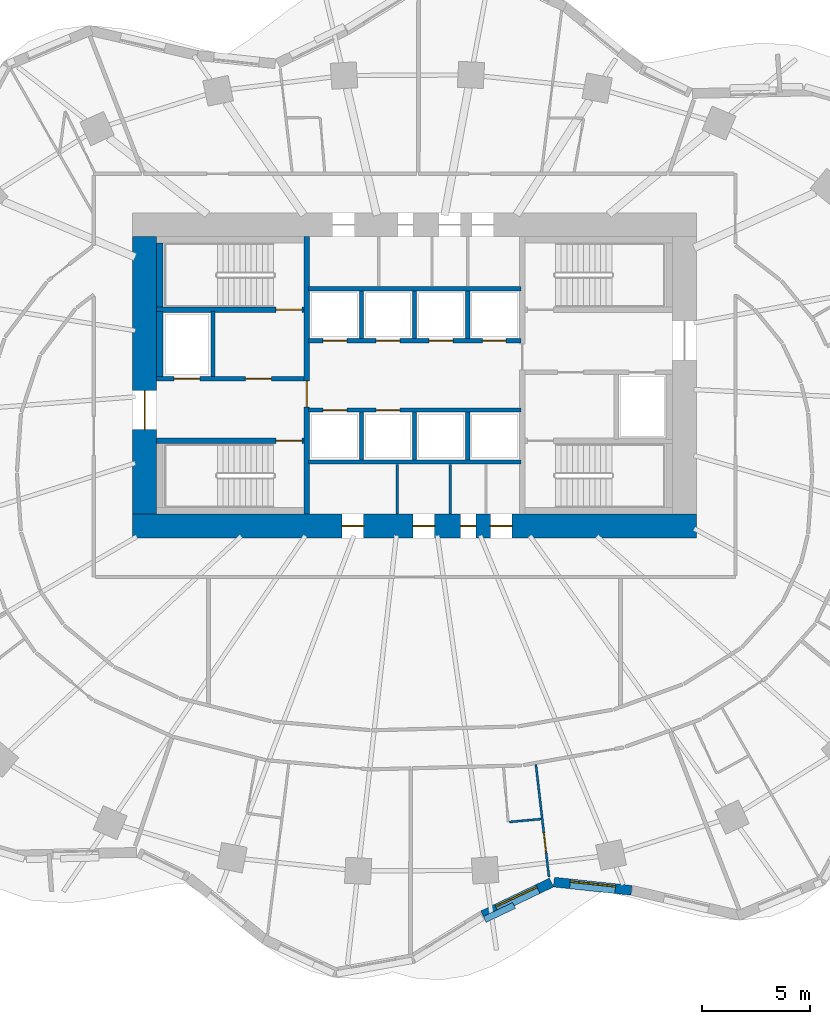
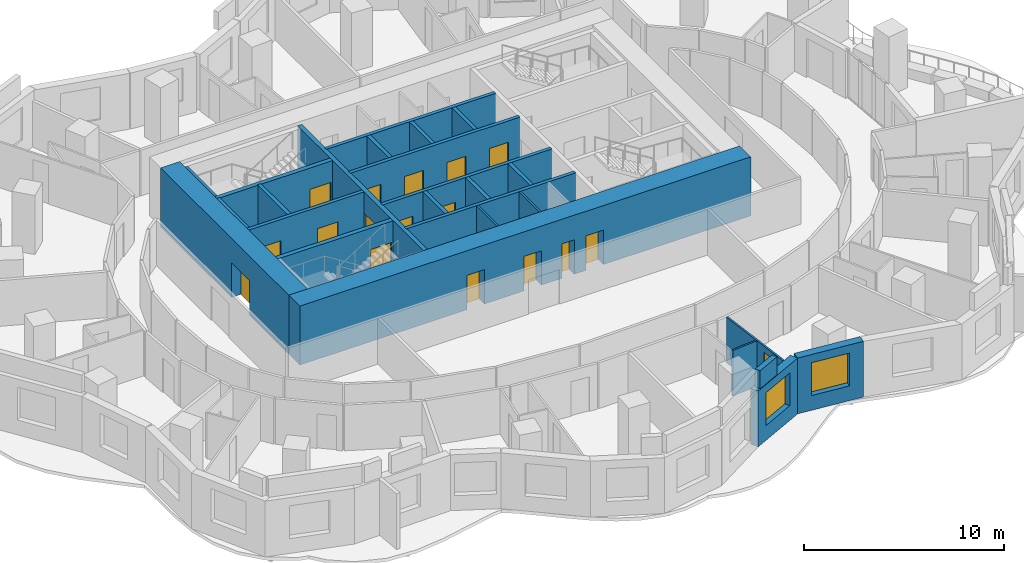
# One storey, part 6 of 13: 26 walls, 17 doors, 2 windows, 19 openings.
"""IFC4 building model written with IfcOpenShell, lengths in metres."""

from ifc_helpers import new_model, si_unit, direction, frame, frame_2d, origin, place, context, subcontext, project, spatial, rectangle, extrude, material, layer, layer_set, type_object, element, fill, save


model = new_model("IFC4")

# Units and contexts
model_context = context("Model", 3, precision=1e-05, world=origin(), true_north=direction((0.0, 1.0)))
body_context = subcontext(model_context, "Body", "Model", "MODEL_VIEW")
ifc_project = project(units=[si_unit("LENGTHUNIT", "METRE"), si_unit("AREAUNIT", "SQUARE_METRE"), si_unit("VOLUMEUNIT", "CUBIC_METRE"), si_unit("PLANEANGLEUNIT", "RADIAN"), si_unit("MASSUNIT", "GRAM", prefix="KILO")], contexts=[model_context])

# Site, building, storey
site_placement = place(None, origin())
site = spatial("IfcSite", under=ifc_project, at=site_placement, CompositionType="ELEMENT")
building_placement = place(site_placement, origin())
building = spatial("IfcBuilding", under=site, at=building_placement, Name="Rubra Terraces Tower", CompositionType="ELEMENT")
storey_placement = place(building_placement, frame((0.0, 0.0, 85.199951171875)))
storey = spatial("IfcBuildingStorey", under=building, at=storey_placement, Name="L19", CompositionType="ELEMENT", Elevation=85.199951171875)

# Wall, opening, window
ifc_material_1 = material(Name="Brick masonry red-brown", Category="masonry")
ifc_layer_1 = layer(ifc_material_1, 0.449951171875)
ifc_layer_set_1 = layer_set([ifc_layer_1], Name="Brick masonry red-brown")
wall_type_1 = type_object("IfcWallType", Name="Brick facade wall 450", PredefinedType="SOLIDWALL", material=ifc_layer_set_1)
wall_1_placement = place(storey_placement, frame((3.153564453125, -20.406005859375, 0.0), z_axis=(0.0, 0.0, 1.0), x_axis=(0.902333313, 0.431038968367, 0.0)))
wall_1 = element("IfcWall", 1, at=wall_1_placement, inside=storey, type_object=wall_type_1, Name="Facade wall L19 bay 32", PredefinedType="SOLIDWALL", context=body_context, shape_type="SweptSolid", body=[
    extrude(rectangle(XDim=3.50537109375, YDim=0.449951171875, at=frame_2d((1.752685546875, 0.0))), origin(), (0.0, 0.0, 1.0), 3.400146484375),
])
opening_1_placement = place(wall_1_placement, frame((0.702880859375, 0.0, 0.89990234375)))
opening_1 = element("IfcOpeningElement", 2, at=opening_1_placement, cuts=wall_1, Name="Opening W1", PredefinedType="OPENING", context=body_context, shape_type="SweptSolid", body=[
    extrude(rectangle(XDim=2.10009765625, YDim=2.0, at=frame_2d((1.050048828125, 1.0))), frame((0.0, 0.23486328125, 0.0), z_axis=(0.0, -1.0, 0.0), x_axis=(1.0, 0.0, 0.0)), (0.0, 0.0, 1.0), 0.469970703125),
])
ifc_material_2 = material(Name="Clear glass in aluminium frame", Category="aluminium")
window_type = type_object("IfcWindowType", Name="Fixed deep-set window 2100 x 2000", PartitioningType="SINGLE_PANEL", PredefinedType="WINDOW", material=ifc_material_2)
window_1_placement = place(opening_1_placement, origin())
window_1 = element("IfcWindow", 3, at=window_1_placement, inside=storey, type_object=window_type, Name="Window L19 bay 32", OverallHeight=2.0, OverallWidth=2.10009765625, PartitioningType="SINGLE_PANEL", PredefinedType="WINDOW", context=body_context, shape_type="SweptSolid", body=[
    extrude(rectangle(XDim=2.10009765625, YDim=2.0, at=frame_2d((1.050048828125, 1.0))), frame((0.0, 0.135009765625, 0.0), z_axis=(0.0, -1.0, 0.0), x_axis=(1.0, 0.0, 0.0)), (0.0, 0.0, 1.0), 0.06005859375),
])
fill(opening_1, window_1)

wall_2_placement = place(storey_placement, frame((6.4267578125, -18.875244140625, 0.0), z_axis=(0.0, 0.0, 1.0), x_axis=(0.994433468803, -0.10536638992, 0.0)))
wall_2 = element("IfcWall", 4, at=wall_2_placement, inside=storey, type_object=wall_type_1, Name="Facade wall L19 bay 33", PredefinedType="SOLIDWALL", context=body_context, shape_type="SweptSolid", body=[
    extrude(rectangle(XDim=3.598388671875, YDim=0.449951171875, at=frame_2d((1.79931640625, 0.0))), origin(), (0.0, 0.0, 1.0), 3.400146484375),
])
opening_2_placement = place(wall_2_placement, frame((0.749267578125, 0.0, 0.89990234375)))
opening_2 = element("IfcOpeningElement", 5, at=opening_2_placement, cuts=wall_2, Name="Opening W1", PredefinedType="OPENING", context=body_context, shape_type="SweptSolid", body=[
    extrude(rectangle(XDim=2.10009765625, YDim=2.0, at=frame_2d((1.050048828125, 1.0))), frame((0.0, 0.23486328125, 0.0), z_axis=(0.0, -1.0, 0.0), x_axis=(1.0, 0.0, 0.0)), (0.0, 0.0, 1.0), 0.469970703125),
])
window_2_placement = place(opening_2_placement, origin())
window_2 = element("IfcWindow", 6, at=window_2_placement, inside=storey, type_object=window_type, Name="Window L19 bay 33", OverallHeight=2.0, OverallWidth=2.10009765625, PartitioningType="SINGLE_PANEL", PredefinedType="WINDOW", context=body_context, shape_type="SweptSolid", body=[
    extrude(rectangle(XDim=2.10009765625, YDim=2.0, at=frame_2d((1.050048828125, 1.0))), frame((0.0, 0.135009765625, 0.0), z_axis=(0.0, -1.0, 0.0), x_axis=(1.0, 0.0, 0.0)), (0.0, 0.0, 1.0), 0.06005859375),
])
fill(opening_2, window_2)

# Wall
ifc_layer_2 = layer(ifc_material_1, 0.300048828125)
ifc_layer_set_2 = layer_set([ifc_layer_2], Name="Brick masonry red-brown")
wall_type_2 = type_object("IfcWallType", Name="Brick parapet 300", PredefinedType="PARAPET", material=ifc_layer_set_2)
wall_3_placement = place(storey_placement, frame((3.2392578125, -20.594482421875, 3.60009765625), z_axis=(0.0, 0.0, 1.0), x_axis=(0.902344893923, 0.431014724123, 0.0)))
element("IfcWall", 7, at=wall_3_placement, inside=storey, type_object=wall_type_2, Name="Parapet L19 bay 32", PredefinedType="PARAPET", context=body_context, shape_type="SweptSolid", body=[
    extrude(rectangle(XDim=1.48974609375, YDim=0.300048828125, at=frame_2d((0.744873046875, 0.0))), origin(), (0.0, 0.0, 1.0), 1.099853515625),
])

# Wall, openings, doors
ifc_material_3 = material(Name="Concrete C60", Category="concrete")
ifc_layer_3 = layer(ifc_material_3, 1.10009765625)
ifc_layer_set_3 = layer_set([ifc_layer_3], Name="Concrete C60")
wall_type_3 = type_object("IfcWallType", Name="CORE WALL 1100 C60", PredefinedType="SHEAR", material=ifc_layer_set_3)
wall_4_placement = place(storey_placement, frame((-13.0, -2.449951171875, 0.0), z_axis=(0.0, 0.0, 1.0), x_axis=(1.0, 0.0, 0.0)))
wall_4 = element("IfcWall", 8, at=wall_4_placement, inside=storey, type_object=wall_type_3, Name="CORE WALL S L19", PredefinedType="SHEAR", context=body_context, shape_type="SweptSolid", body=[
    extrude(rectangle(XDim=26.0, YDim=1.10009765625, at=frame_2d((13.0, 0.0))), origin(), (0.0, 0.0, 1.0), 3.60009765625),
])
opening_3_placement = place(wall_4_placement, frame((9.64990234375, 0.0, 0.0)))
opening_3 = element("IfcOpeningElement", 9, at=opening_3_placement, cuts=wall_4, Name="Opening L19.C19", PredefinedType="OPENING", context=body_context, shape_type="SweptSolid", body=[
    extrude(rectangle(XDim=1.0, YDim=2.10009765625, at=frame_2d((0.5, 1.050048828125))), frame((0.0, 0.56005859375, 0.0), z_axis=(0.0, -1.0, 0.0), x_axis=(1.0, 0.0, 0.0)), (0.0, 0.0, 1.0), 1.1201171875),
])
opening_4_placement = place(wall_4_placement, frame((12.925048828125, 0.0, 0.0)))
opening_4 = element("IfcOpeningElement", 10, at=opening_4_placement, cuts=wall_4, Name="Opening L19.C20", PredefinedType="OPENING", context=body_context, shape_type="SweptSolid", body=[
    extrude(rectangle(XDim=1.0, YDim=2.10009765625, at=frame_2d((0.5, 1.050048828125))), frame((0.0, 0.56005859375, 0.0), z_axis=(0.0, -1.0, 0.0), x_axis=(1.0, 0.0, 0.0)), (0.0, 0.0, 1.0), 1.1201171875),
])
opening_5_placement = place(wall_4_placement, frame((15.125, 0.0, 0.0)))
opening_5 = element("IfcOpeningElement", 11, at=opening_5_placement, cuts=wall_4, Name="Opening L19.C21", PredefinedType="OPENING", context=body_context, shape_type="SweptSolid", body=[
    extrude(rectangle(XDim=0.699951171875, YDim=2.10009765625, at=frame_2d((0.35009765625, 1.050048828125))), frame((0.0, 0.56005859375, 0.0), z_axis=(0.0, -1.0, 0.0), x_axis=(1.0, 0.0, 0.0)), (0.0, 0.0, 1.0), 1.1201171875),
])
opening_6_placement = place(wall_4_placement, frame((16.5, 0.0, 0.0)))
opening_6 = element("IfcOpeningElement", 12, at=opening_6_placement, cuts=wall_4, Name="Opening L19.C22", PredefinedType="OPENING", context=body_context, shape_type="SweptSolid", body=[
    extrude(rectangle(XDim=1.0, YDim=2.10009765625, at=frame_2d((0.5, 1.050048828125))), frame((0.0, 0.56005859375, 0.0), z_axis=(0.0, -1.0, 0.0), x_axis=(1.0, 0.0, 0.0)), (0.0, 0.0, 1.0), 1.1201171875),
])
ifc_material_4 = material(Name="Painted steel", Category="steel")
door_type_1 = type_object("IfcDoorType", Name="Fire door 1000x2100 single", OperationType="NOTDEFINED", PredefinedType="DOOR", material=ifc_material_4)
door_1_placement = place(opening_3_placement, origin())
door_1 = element("IfcDoor", 13, at=door_1_placement, inside=storey, type_object=door_type_1, Name="Linen store door", OperationType="SINGLE_SWING_LEFT", OverallHeight=2.10009765625, OverallWidth=1.0, PredefinedType="DOOR", context=body_context, shape_type="SweptSolid", body=[
    extrude(rectangle(XDim=1.0, YDim=2.10009765625, at=frame_2d((0.5, 1.050048828125))), frame((0.0, 0.02490234375, 0.0), z_axis=(0.0, -1.0, 0.0), x_axis=(1.0, 0.0, 0.0)), (0.0, 0.0, 1.0), 0.050048828125),
])
fill(opening_3, door_1)
door_2_placement = place(opening_4_placement, origin())
door_2 = element("IfcDoor", 14, at=door_2_placement, inside=storey, type_object=door_type_1, Name="Guest pantry door", OperationType="SINGLE_SWING_RIGHT", OverallHeight=2.10009765625, OverallWidth=1.0, PredefinedType="DOOR", context=body_context, shape_type="SweptSolid", body=[
    extrude(rectangle(XDim=1.0, YDim=2.10009765625, at=frame_2d((0.5, 1.050048828125))), frame((0.0, 0.02490234375, 0.0), z_axis=(0.0, -1.0, 0.0), x_axis=(1.0, 0.0, 0.0)), (0.0, 0.0, 1.0), 0.050048828125),
])
fill(opening_4, door_2)
door_3_placement = place(opening_6_placement, origin())
door_3 = element("IfcDoor", 15, at=door_3_placement, inside=storey, type_object=door_type_1, Name="Refuse room door", OperationType="SINGLE_SWING_RIGHT", OverallHeight=2.10009765625, OverallWidth=1.0, PredefinedType="DOOR", context=body_context, shape_type="SweptSolid", body=[
    extrude(rectangle(XDim=1.0, YDim=2.10009765625, at=frame_2d((0.5, 1.050048828125))), frame((0.0, 0.02490234375, 0.0), z_axis=(0.0, -1.0, 0.0), x_axis=(1.0, 0.0, 0.0)), (0.0, 0.0, 1.0), 0.050048828125),
])
fill(opening_6, door_3)
door_type_2 = type_object("IfcDoorType", Name="Riser access door 700x2100 single", OperationType="NOTDEFINED", PredefinedType="DOOR", material=ifc_material_4)
door_4_placement = place(opening_5_placement, origin())
door_4 = element("IfcDoor", 16, at=door_4_placement, inside=storey, type_object=door_type_2, Name="Telecoms room door", OperationType="SINGLE_SWING_LEFT", OverallHeight=2.10009765625, OverallWidth=0.699951171875, PredefinedType="DOOR", context=body_context, shape_type="SweptSolid", body=[
    extrude(rectangle(XDim=0.699951171875, YDim=2.10009765625, at=frame_2d((0.35009765625, 1.050048828125))), frame((0.0, 0.02490234375, 0.0), z_axis=(0.0, -1.0, 0.0), x_axis=(1.0, 0.0, 0.0)), (0.0, 0.0, 1.0), 0.050048828125),
])
fill(opening_5, door_4)

# Wall, opening, door
wall_5_placement = place(storey_placement, frame((-12.449951171875, -1.89990234375, 0.0), z_axis=(0.0, 0.0, 1.0), x_axis=(0.0, 1.0, 0.0)))
wall_5 = element("IfcWall", 17, at=wall_5_placement, inside=storey, type_object=wall_type_3, Name="CORE WALL W L19", PredefinedType="SHEAR", context=body_context, shape_type="SweptSolid", body=[
    extrude(rectangle(XDim=12.7998046875, YDim=1.10009765625, at=frame_2d((6.39990234375, 0.0))), origin(), (0.0, 0.0, 1.0), 3.60009765625),
])
opening_7_placement = place(wall_5_placement, frame((3.89990234375, 0.0, 0.0)))
opening_7 = element("IfcOpeningElement", 18, at=opening_7_placement, cuts=wall_5, Name="Opening L19.C01", PredefinedType="OPENING", context=body_context, shape_type="SweptSolid", body=[
    extrude(rectangle(XDim=1.800048828125, YDim=2.10009765625, at=frame_2d((0.89990234375, 1.050048828125))), frame((0.0, 0.56005859375, 0.0), z_axis=(0.0, -1.0, 0.0), x_axis=(1.0, 0.0, 0.0)), (0.0, 0.0, 1.0), 1.1201171875),
])
door_type_3 = type_object("IfcDoorType", Name="Fire door 1800x2100 double", OperationType="NOTDEFINED", PredefinedType="DOOR", material=ifc_material_4)
door_5_placement = place(opening_7_placement, origin())
door_5 = element("IfcDoor", 19, at=door_5_placement, inside=storey, type_object=door_type_3, Name="Core entrance door FF1", OperationType="DOUBLE_DOOR_SINGLE_SWING", OverallHeight=2.10009765625, OverallWidth=1.800048828125, PredefinedType="DOOR", context=body_context, shape_type="SweptSolid", body=[
    extrude(rectangle(XDim=1.800048828125, YDim=2.10009765625, at=frame_2d((0.89990234375, 1.050048828125))), frame((0.0, 0.02490234375, 0.0), z_axis=(0.0, -1.0, 0.0), x_axis=(1.0, 0.0, 0.0)), (0.0, 0.0, 1.0), 0.050048828125),
])
fill(opening_7, door_5)

# Walls
ifc_material_5 = material(Name="Concrete C40", Category="concrete")
ifc_layer_4 = layer(ifc_material_5, 0.300048828125)
ifc_layer_set_4 = layer_set([ifc_layer_4], Name="Concrete C40")
wall_type_4 = type_object("IfcWallType", Name="Core lining wall 300 concrete", PredefinedType="SOLIDWALL", material=ifc_layer_set_4)
wall_6_placement = place(storey_placement, frame((-11.75, 4.449951171875, 0.0), z_axis=(0.0, 0.0, 1.0), x_axis=(0.0, 1.0, 0.0)))
element("IfcWall", 20, at=wall_6_placement, inside=storey, type_object=wall_type_4, Name="CORE LINING WALL L19", PredefinedType="SOLIDWALL", context=body_context, shape_type="SweptSolid", body=[
    extrude(rectangle(XDim=3.0, YDim=0.300048828125, at=frame_2d((1.5, 0.0))), origin(), (0.0, 0.0, 1.0), 3.400146484375),
])
wall_7_placement = place(storey_placement, frame((-11.75, 7.64990234375, 0.0), z_axis=(0.0, 0.0, 1.0), x_axis=(0.0, 1.0, 0.0)))
element("IfcWall", 21, at=wall_7_placement, inside=storey, type_object=wall_type_4, Name="CORE LINING WALL L19", PredefinedType="SOLIDWALL", context=body_context, shape_type="SweptSolid", body=[
    extrude(rectangle(XDim=2.9501953125, YDim=0.300048828125, at=frame_2d((1.47509765625, 0.0))), origin(), (0.0, 0.0, 1.0), 3.400146484375),
])

# Wall, openings, doors
ifc_material_6 = material(Name="Concrete C30", Category="concrete")
ifc_layer_5 = layer(ifc_material_6, 0.199951171875)
ifc_layer_set_5 = layer_set([ifc_layer_5], Name="Concrete C30")
wall_type_5 = type_object("IfcWallType", Name="Core wall 200 concrete", PredefinedType="SOLIDWALL", material=ifc_layer_set_5)
wall_8_placement = place(storey_placement, frame((-11.89990234375, 4.35009765625, 0.0), z_axis=(0.0, 0.0, 1.0), x_axis=(1.0, 0.0, 0.0)))
wall_8 = element("IfcWall", 22, at=wall_8_placement, inside=storey, type_object=wall_type_5, Name="STAIR WALL L19", PredefinedType="SOLIDWALL", context=body_context, shape_type="SweptSolid", body=[
    extrude(rectangle(XDim=6.7998046875, YDim=0.199951171875, at=frame_2d((3.39990234375, 0.0))), origin(), (0.0, 0.0, 1.0), 3.400146484375),
])
opening_8_placement = place(wall_8_placement, frame((4.10009765625, 0.0, 0.0)))
opening_8 = element("IfcOpeningElement", 23, at=opening_8_placement, cuts=wall_8, Name="Opening L19.C05", PredefinedType="OPENING", context=body_context, shape_type="SweptSolid", body=[
    extrude(rectangle(XDim=1.199951171875, YDim=2.10009765625, at=frame_2d((0.60009765625, 1.050048828125))), frame((0.0, 0.10986328125, 0.0), z_axis=(0.0, -1.0, 0.0), x_axis=(1.0, 0.0, 0.0)), (0.0, 0.0, 1.0), 0.219970703125),
])
opening_9_placement = place(wall_8_placement, frame((0.800048828125, 0.0, 0.0)))
opening_9 = element("IfcOpeningElement", 24, at=opening_9_placement, cuts=wall_8, Name="Opening L19.C11", PredefinedType="OPENING", context=body_context, shape_type="SweptSolid", body=[
    extrude(rectangle(XDim=1.199951171875, YDim=2.10009765625, at=frame_2d((0.60009765625, 1.050048828125))), frame((0.0, 0.10986328125, 0.0), z_axis=(0.0, -1.0, 0.0), x_axis=(1.0, 0.0, 0.0)), (0.0, 0.0, 1.0), 0.219970703125),
])
door_type_4 = type_object("IfcDoorType", Name="Fire door 1200x2100 single", OperationType="NOTDEFINED", PredefinedType="DOOR", material=ifc_material_4)
door_6_placement = place(opening_8_placement, origin())
door_6 = element("IfcDoor", 25, at=door_6_placement, inside=storey, type_object=door_type_4, Name="Stair vestibule door S2", OperationType="SINGLE_SWING_LEFT", OverallHeight=2.10009765625, OverallWidth=1.199951171875, PredefinedType="DOOR", context=body_context, shape_type="SweptSolid", body=[
    extrude(rectangle(XDim=1.199951171875, YDim=2.10009765625, at=frame_2d((0.60009765625, 1.050048828125))), frame((0.0, 0.02490234375, 0.0), z_axis=(0.0, -1.0, 0.0), x_axis=(1.0, 0.0, 0.0)), (0.0, 0.0, 1.0), 0.050048828125),
])
fill(opening_8, door_6)
ifc_material_7 = material(Name="Stainless steel", Category="steel")
door_type_5 = type_object("IfcDoorType", Name="Lift landing door 1200x2100", OperationType="NOTDEFINED", PredefinedType="DOOR", material=ifc_material_7)
door_7_placement = place(opening_9_placement, origin())
door_7 = element("IfcDoor", 26, at=door_7_placement, inside=storey, type_object=door_type_5, Name="Landing door FF1", OperationType="SLIDING_TO_RIGHT", OverallHeight=2.10009765625, OverallWidth=1.199951171875, PredefinedType="DOOR", context=body_context, shape_type="SweptSolid", body=[
    extrude(rectangle(XDim=1.199951171875, YDim=2.10009765625, at=frame_2d((0.60009765625, 1.050048828125))), frame((0.0, 0.02490234375, 0.0), z_axis=(0.0, -1.0, 0.0), x_axis=(1.0, 0.0, 0.0)), (0.0, 0.0, 1.0), 0.050048828125),
])
fill(opening_9, door_7)

# Walls
wall_9_placement = place(storey_placement, frame((-9.300048828125, 4.449951171875, 0.0), z_axis=(0.0, 0.0, 1.0), x_axis=(0.0, 1.0, 0.0)))
element("IfcWall", 27, at=wall_9_placement, inside=storey, type_object=wall_type_5, Name="STAIR WALL L19", PredefinedType="SOLIDWALL", context=body_context, shape_type="SweptSolid", body=[
    extrude(rectangle(XDim=3.0, YDim=0.199951171875, at=frame_2d((1.5, 0.0))), origin(), (0.0, 0.0, 1.0), 3.400146484375),
])
wall_10_placement = place(storey_placement, frame((-4.89990234375, 0.5, 0.0), z_axis=(0.0, 0.0, 1.0), x_axis=(1.0, 0.0, 0.0)))
element("IfcWall", 28, at=wall_10_placement, inside=storey, type_object=wall_type_5, Name="LIFT SHAFT WALL L19", PredefinedType="SOLIDWALL", context=body_context, shape_type="SweptSolid", body=[
    extrude(rectangle(XDim=9.7998046875, YDim=0.199951171875, at=frame_2d((4.89990234375, 0.0))), origin(), (0.0, 0.0, 1.0), 3.400146484375),
])

# Wall, openings, doors
wall_11_placement = place(storey_placement, frame((-4.89990234375, 2.89990234375, 0.0), z_axis=(0.0, 0.0, 1.0), x_axis=(1.0, 0.0, 0.0)))
wall_11 = element("IfcWall", 29, at=wall_11_placement, inside=storey, type_object=wall_type_5, Name="LIFT SHAFT WALL L19", PredefinedType="SOLIDWALL", context=body_context, shape_type="SweptSolid", body=[
    extrude(rectangle(XDim=9.7998046875, YDim=0.199951171875, at=frame_2d((4.89990234375, 0.0))), origin(), (0.0, 0.0, 1.0), 3.400146484375),
])
opening_10_placement = place(wall_11_placement, frame((0.675048828125, 0.0, 0.0)))
opening_10 = element("IfcOpeningElement", 30, at=opening_10_placement, cuts=wall_11, Name="Opening L19.C13", PredefinedType="OPENING", context=body_context, shape_type="SweptSolid", body=[
    extrude(rectangle(XDim=1.10009765625, YDim=2.10009765625, at=frame_2d((0.550048828125, 1.050048828125))), frame((0.0, 0.10986328125, 0.0), z_axis=(0.0, -1.0, 0.0), x_axis=(1.0, 0.0, 0.0)), (0.0, 0.0, 1.0), 0.219970703125),
])
opening_11_placement = place(wall_11_placement, frame((3.125, 0.0, 0.0)))
opening_11 = element("IfcOpeningElement", 31, at=opening_11_placement, cuts=wall_11, Name="Opening L19.C14", PredefinedType="OPENING", context=body_context, shape_type="SweptSolid", body=[
    extrude(rectangle(XDim=1.10009765625, YDim=2.10009765625, at=frame_2d((0.550048828125, 1.050048828125))), frame((0.0, 0.10986328125, 0.0), z_axis=(0.0, -1.0, 0.0), x_axis=(1.0, 0.0, 0.0)), (0.0, 0.0, 1.0), 0.219970703125),
])
door_type_6 = type_object("IfcDoorType", Name="Lift landing door 1100x2100", OperationType="NOTDEFINED", PredefinedType="DOOR", material=ifc_material_7)
door_8_placement = place(opening_10_placement, origin())
door_8 = element("IfcDoor", 32, at=door_8_placement, inside=storey, type_object=door_type_6, Name="Landing door LB1", OperationType="SLIDING_TO_RIGHT", OverallHeight=2.10009765625, OverallWidth=1.10009765625, PredefinedType="DOOR", context=body_context, shape_type="SweptSolid", body=[
    extrude(rectangle(XDim=1.10009765625, YDim=2.10009765625, at=frame_2d((0.550048828125, 1.050048828125))), frame((0.0, 0.02490234375, 0.0), z_axis=(0.0, -1.0, 0.0), x_axis=(1.0, 0.0, 0.0)), (0.0, 0.0, 1.0), 0.050048828125),
])
fill(opening_10, door_8)
door_9_placement = place(opening_11_placement, origin())
door_9 = element("IfcDoor", 33, at=door_9_placement, inside=storey, type_object=door_type_6, Name="Landing door LB2", OperationType="SLIDING_TO_LEFT", OverallHeight=2.10009765625, OverallWidth=1.10009765625, PredefinedType="DOOR", context=body_context, shape_type="SweptSolid", body=[
    extrude(rectangle(XDim=1.10009765625, YDim=2.10009765625, at=frame_2d((0.550048828125, 1.050048828125))), frame((0.0, 0.02490234375, 0.0), z_axis=(0.0, -1.0, 0.0), x_axis=(1.0, 0.0, 0.0)), (0.0, 0.0, 1.0), 0.050048828125),
])
fill(opening_11, door_9)

wall_12_placement = place(storey_placement, frame((-4.89990234375, 6.10009765625, 0.0), z_axis=(0.0, 0.0, 1.0), x_axis=(1.0, 0.0, 0.0)))
wall_12 = element("IfcWall", 34, at=wall_12_placement, inside=storey, type_object=wall_type_5, Name="LIFT SHAFT WALL L19", PredefinedType="SOLIDWALL", context=body_context, shape_type="SweptSolid", body=[
    extrude(rectangle(XDim=9.7998046875, YDim=0.199951171875, at=frame_2d((4.89990234375, 0.0))), origin(), (0.0, 0.0, 1.0), 3.400146484375),
])
opening_12_placement = place(wall_12_placement, frame((0.675048828125, 0.0, 0.0)))
opening_12 = element("IfcOpeningElement", 35, at=opening_12_placement, cuts=wall_12, Name="Opening L19.C15", PredefinedType="OPENING", context=body_context, shape_type="SweptSolid", body=[
    extrude(rectangle(XDim=1.10009765625, YDim=2.10009765625, at=frame_2d((0.550048828125, 1.050048828125))), frame((0.0, 0.10986328125, 0.0), z_axis=(0.0, -1.0, 0.0), x_axis=(1.0, 0.0, 0.0)), (0.0, 0.0, 1.0), 0.219970703125),
])
opening_13_placement = place(wall_12_placement, frame((3.125, 0.0, 0.0)))
opening_13 = element("IfcOpeningElement", 36, at=opening_13_placement, cuts=wall_12, Name="Opening L19.C16", PredefinedType="OPENING", context=body_context, shape_type="SweptSolid", body=[
    extrude(rectangle(XDim=1.10009765625, YDim=2.10009765625, at=frame_2d((0.550048828125, 1.050048828125))), frame((0.0, 0.10986328125, 0.0), z_axis=(0.0, -1.0, 0.0), x_axis=(1.0, 0.0, 0.0)), (0.0, 0.0, 1.0), 0.219970703125),
])
opening_14_placement = place(wall_12_placement, frame((5.574951171875, 0.0, 0.0)))
opening_14 = element("IfcOpeningElement", 37, at=opening_14_placement, cuts=wall_12, Name="Opening L19.C17", PredefinedType="OPENING", context=body_context, shape_type="SweptSolid", body=[
    extrude(rectangle(XDim=1.10009765625, YDim=2.10009765625, at=frame_2d((0.550048828125, 1.050048828125))), frame((0.0, 0.10986328125, 0.0), z_axis=(0.0, -1.0, 0.0), x_axis=(1.0, 0.0, 0.0)), (0.0, 0.0, 1.0), 0.219970703125),
])
opening_15_placement = place(wall_12_placement, frame((8.02490234375, 0.0, 0.0)))
opening_15 = element("IfcOpeningElement", 38, at=opening_15_placement, cuts=wall_12, Name="Opening L19.C18", PredefinedType="OPENING", context=body_context, shape_type="SweptSolid", body=[
    extrude(rectangle(XDim=1.10009765625, YDim=2.10009765625, at=frame_2d((0.550048828125, 1.050048828125))), frame((0.0, 0.10986328125, 0.0), z_axis=(0.0, -1.0, 0.0), x_axis=(1.0, 0.0, 0.0)), (0.0, 0.0, 1.0), 0.219970703125),
])
door_10_placement = place(opening_12_placement, origin())
door_10 = element("IfcDoor", 39, at=door_10_placement, inside=storey, type_object=door_type_6, Name="Landing door LB3", OperationType="SLIDING_TO_RIGHT", OverallHeight=2.10009765625, OverallWidth=1.10009765625, PredefinedType="DOOR", context=body_context, shape_type="SweptSolid", body=[
    extrude(rectangle(XDim=1.10009765625, YDim=2.10009765625, at=frame_2d((0.550048828125, 1.050048828125))), frame((0.0, 0.02490234375, 0.0), z_axis=(0.0, -1.0, 0.0), x_axis=(1.0, 0.0, 0.0)), (0.0, 0.0, 1.0), 0.050048828125),
])
fill(opening_12, door_10)
door_11_placement = place(opening_13_placement, origin())
door_11 = element("IfcDoor", 40, at=door_11_placement, inside=storey, type_object=door_type_6, Name="Landing door LB4", OperationType="SLIDING_TO_LEFT", OverallHeight=2.10009765625, OverallWidth=1.10009765625, PredefinedType="DOOR", context=body_context, shape_type="SweptSolid", body=[
    extrude(rectangle(XDim=1.10009765625, YDim=2.10009765625, at=frame_2d((0.550048828125, 1.050048828125))), frame((0.0, 0.02490234375, 0.0), z_axis=(0.0, -1.0, 0.0), x_axis=(1.0, 0.0, 0.0)), (0.0, 0.0, 1.0), 0.050048828125),
])
fill(opening_13, door_11)
door_12_placement = place(opening_14_placement, origin())
door_12 = element("IfcDoor", 41, at=door_12_placement, inside=storey, type_object=door_type_6, Name="Landing door LB5", OperationType="SLIDING_TO_RIGHT", OverallHeight=2.10009765625, OverallWidth=1.10009765625, PredefinedType="DOOR", context=body_context, shape_type="SweptSolid", body=[
    extrude(rectangle(XDim=1.10009765625, YDim=2.10009765625, at=frame_2d((0.550048828125, 1.050048828125))), frame((0.0, 0.02490234375, 0.0), z_axis=(0.0, -1.0, 0.0), x_axis=(1.0, 0.0, 0.0)), (0.0, 0.0, 1.0), 0.050048828125),
])
fill(opening_14, door_12)
door_13_placement = place(opening_15_placement, origin())
door_13 = element("IfcDoor", 42, at=door_13_placement, inside=storey, type_object=door_type_6, Name="Landing door LB6", OperationType="SLIDING_TO_LEFT", OverallHeight=2.10009765625, OverallWidth=1.10009765625, PredefinedType="DOOR", context=body_context, shape_type="SweptSolid", body=[
    extrude(rectangle(XDim=1.10009765625, YDim=2.10009765625, at=frame_2d((0.550048828125, 1.050048828125))), frame((0.0, 0.02490234375, 0.0), z_axis=(0.0, -1.0, 0.0), x_axis=(1.0, 0.0, 0.0)), (0.0, 0.0, 1.0), 0.050048828125),
])
fill(opening_15, door_13)

# Walls
wall_13_placement = place(storey_placement, frame((-4.89990234375, 8.5, 0.0), z_axis=(0.0, 0.0, 1.0), x_axis=(1.0, 0.0, 0.0)))
element("IfcWall", 43, at=wall_13_placement, inside=storey, type_object=wall_type_5, Name="LIFT SHAFT WALL L19", PredefinedType="SOLIDWALL", context=body_context, shape_type="SweptSolid", body=[
    extrude(rectangle(XDim=9.7998046875, YDim=0.199951171875, at=frame_2d((4.89990234375, 0.0))), origin(), (0.0, 0.0, 1.0), 3.400146484375),
])
for number, where, z_axis, x_axis, name in (
    (44, (-2.449951171875, 0.60009765625, 0.0), (0.0, 0.0, 1.0), (0.0, 1.0, 0.0), "LIFT SHAFT WALL L19"),
    (45, (0.0, 0.60009765625, 0.0), (0.0, 0.0, 1.0), (0.0, 1.0, 0.0), "LIFT SHAFT WALL L19"),
    (46, (2.449951171875, 0.60009765625, 0.0), (0.0, 0.0, 1.0), (0.0, 1.0, 0.0), "LIFT SHAFT WALL L19"),
    (47, (-2.449951171875, 6.199951171875, 0.0), (0.0, 0.0, 1.0), (0.0, 1.0, 0.0), "LIFT SHAFT WALL L19"),
    (48, (0.0, 6.199951171875, 0.0), (0.0, 0.0, 1.0), (0.0, 1.0, 0.0), "LIFT SHAFT WALL L19"),
    (49, (2.449951171875, 6.199951171875, 0.0), (0.0, 0.0, 1.0), (0.0, 1.0, 0.0), "LIFT SHAFT WALL L19"),
):
    element("IfcWall", number, at=place(storey_placement, frame(where, z_axis=z_axis, x_axis=x_axis)), inside=storey, type_object=wall_type_5, Name=name, PredefinedType="SOLIDWALL", context=body_context, shape_type="SweptSolid", body=[
        extrude(rectangle(XDim=2.199951171875, YDim=0.199951171875, at=frame_2d((1.10009765625, 0.0))), origin(), (0.0, 0.0, 1.0), 3.400146484375),
    ])

# Wall, opening, door
ifc_material_8 = material(Name="Plasterboard on steel stud", Category="steel")
ifc_layer_6 = layer(ifc_material_8, 0.10009765625)
ifc_layer_set_6 = layer_set([ifc_layer_6], Name="Plasterboard on steel stud")
wall_type_6 = type_object("IfcWallType", Name="ROOM PARTITION 100", PredefinedType="PARTITIONING", material=ifc_layer_set_6)
wall_14_placement = place(storey_placement, frame((6.199462890625, -18.641845703125, 0.0), z_axis=(0.0, 0.0, 1.0), x_axis=(-0.115390402635, 0.993320217744, 0.0)))
wall_14 = element("IfcWall", 50, at=wall_14_placement, inside=storey, type_object=wall_type_6, Name="PARTITION", PredefinedType="PARTITIONING", context=body_context, shape_type="SweptSolid", body=[
    extrude(rectangle(XDim=5.223876953125, YDim=0.10009765625, at=frame_2d((2.61181640625, 0.0))), origin(), (0.0, 0.0, 1.0), 2.783935546875),
])
opening_16_placement = place(wall_14_placement, frame((1.14892578125, 0.0, 0.0)))
opening_16 = element("IfcOpeningElement", 51, at=opening_16_placement, cuts=wall_14, Name="Opening 19-122", PredefinedType="OPENING", context=body_context, shape_type="SweptSolid", body=[
    extrude(rectangle(XDim=0.89990234375, YDim=2.39990234375, at=frame_2d((0.449951171875, 1.199951171875))), frame((0.0, 0.06005859375, 0.0), z_axis=(0.0, -1.0, 0.0), x_axis=(1.0, 0.0, 0.0)), (0.0, 0.0, 1.0), 0.1201171875),
])
ifc_material_9 = material(Name="Veneered timber door leaf, fire-rated", Category="wood")
door_type_7 = type_object("IfcDoorType", Name="SUITE ENTRANCE DOOR 900 X 2400", OperationType="SINGLE_SWING_LEFT", PredefinedType="DOOR", material=ifc_material_9)
door_14_placement = place(opening_16_placement, origin())
door_14 = element("IfcDoor", 52, at=door_14_placement, inside=storey, type_object=door_type_7, Name="DOOR 19-122", OperationType="SINGLE_SWING_LEFT", OverallHeight=2.39990234375, OverallWidth=0.89990234375, PredefinedType="DOOR", context=body_context, shape_type="SweptSolid", body=[
    extrude(rectangle(XDim=0.89990234375, YDim=2.39990234375, at=frame_2d((0.449951171875, 1.199951171875))), frame((0.0, 0.02490234375, 0.0), z_axis=(0.0, -1.0, 0.0), x_axis=(1.0, 0.0, 0.0)), (0.0, 0.0, 1.0), 0.050048828125),
])
fill(opening_16, door_14)

# Walls
wall_15_placement = place(storey_placement, frame((4.369140625, -16.10107421875, 0.0), z_axis=(0.0, 0.0, 1.0), x_axis=(0.995788091421, 0.09168466057, 0.0)))
element("IfcWall", 53, at=wall_15_placement, inside=storey, type_object=wall_type_6, Name="PARTITION", PredefinedType="PARTITIONING", context=body_context, shape_type="SweptSolid", body=[
    extrude(rectangle(XDim=1.47509765625, YDim=0.10009765625, at=frame_2d((0.737548828125, 0.0))), origin(), (0.0, 0.0, 1.0), 2.783935546875),
])
ifc_material_10 = material(Name="Blockwork", Category="masonry")
ifc_layer_7 = layer(ifc_material_10, 0.10009765625)
ifc_layer_set_7 = layer_set([ifc_layer_7], Name="Blockwork")
wall_type_7 = type_object("IfcWallType", Name="Service partition 100 blockwork", PredefinedType="PARTITIONING", material=ifc_layer_set_7)
for number, where, z_axis, x_axis, name in (
    (54, (-0.800048828125, -1.89990234375, 0.0), (0.0, 0.0, 1.0), (0.0, 1.0, 0.0), "SERVICE ROOM PARTITION L19"),
    (55, (1.64990234375, -1.89990234375, 0.0), (0.0, 0.0, 1.0), (0.0, 1.0, 0.0), "SERVICE ROOM PARTITION L19"),
):
    element("IfcWall", number, at=place(storey_placement, frame(where, z_axis=z_axis, x_axis=x_axis)), inside=storey, type_object=wall_type_7, Name=name, PredefinedType="PARTITIONING", context=body_context, shape_type="SweptSolid", body=[
        extrude(rectangle(XDim=2.2998046875, YDim=0.10009765625, at=frame_2d((1.14990234375, 0.0))), origin(), (0.0, 0.0, 1.0), 3.400146484375),
    ])

# Wall, opening, door
ifc_layer_8 = layer(ifc_material_5, 0.25)
ifc_layer_set_8 = layer_set([ifc_layer_8], Name="Concrete C40")
wall_type_8 = type_object("IfcWallType", Name="Stair enclosure wall 250 concrete", PredefinedType="SOLIDWALL", material=ifc_layer_set_8)
wall_16_placement = place(storey_placement, frame((-11.89990234375, 1.47509765625, 0.0), z_axis=(0.0, 0.0, 1.0), x_axis=(1.0, 0.0, 0.0)))
wall_16 = element("IfcWall", 56, at=wall_16_placement, inside=storey, type_object=wall_type_8, Name="STAIR WALL L19", PredefinedType="SOLIDWALL", context=body_context, shape_type="SweptSolid", body=[
    extrude(rectangle(XDim=6.7998046875, YDim=0.25, at=frame_2d((3.39990234375, 0.0))), origin(), (0.0, 0.0, 1.0), 3.400146484375),
])
opening_17_placement = place(wall_16_placement, frame((5.5, 0.0, 0.0)))
opening_17 = element("IfcOpeningElement", 57, at=opening_17_placement, cuts=wall_16, Name="Opening L19.C07", PredefinedType="OPENING", context=body_context, shape_type="SweptSolid", body=[
    extrude(rectangle(XDim=1.199951171875, YDim=2.10009765625, at=frame_2d((0.60009765625, 1.050048828125))), frame((0.0, 0.135009765625, 0.0), z_axis=(0.0, -1.0, 0.0), x_axis=(1.0, 0.0, 0.0)), (0.0, 0.0, 1.0), 0.27001953125),
])
door_15_placement = place(opening_17_placement, origin())
door_15 = element("IfcDoor", 58, at=door_15_placement, inside=storey, type_object=door_type_4, Name="Stair door S1", OperationType="SINGLE_SWING_LEFT", OverallHeight=2.10009765625, OverallWidth=1.199951171875, PredefinedType="DOOR", context=body_context, shape_type="SweptSolid", body=[
    extrude(rectangle(XDim=1.199951171875, YDim=2.10009765625, at=frame_2d((0.60009765625, 1.050048828125))), frame((0.0, 0.02490234375, 0.0), z_axis=(0.0, -1.0, 0.0), x_axis=(1.0, 0.0, 0.0)), (0.0, 0.0, 1.0), 0.050048828125),
])
fill(opening_17, door_15)

wall_17_placement = place(storey_placement, frame((-11.89990234375, 7.52490234375, 0.0), z_axis=(0.0, 0.0, 1.0), x_axis=(1.0, 0.0, 0.0)))
wall_17 = element("IfcWall", 59, at=wall_17_placement, inside=storey, type_object=wall_type_8, Name="STAIR WALL L19", PredefinedType="SOLIDWALL", context=body_context, shape_type="SweptSolid", body=[
    extrude(rectangle(XDim=6.7998046875, YDim=0.25, at=frame_2d((3.39990234375, 0.0))), origin(), (0.0, 0.0, 1.0), 3.400146484375),
])
opening_18_placement = place(wall_17_placement, frame((5.5, 0.0, 0.0)))
opening_18 = element("IfcOpeningElement", 60, at=opening_18_placement, cuts=wall_17, Name="Opening L19.C09", PredefinedType="OPENING", context=body_context, shape_type="SweptSolid", body=[
    extrude(rectangle(XDim=1.199951171875, YDim=2.10009765625, at=frame_2d((0.60009765625, 1.050048828125))), frame((0.0, 0.135009765625, 0.0), z_axis=(0.0, -1.0, 0.0), x_axis=(1.0, 0.0, 0.0)), (0.0, 0.0, 1.0), 0.27001953125),
])
door_16_placement = place(opening_18_placement, origin())
door_16 = element("IfcDoor", 61, at=door_16_placement, inside=storey, type_object=door_type_4, Name="Stair door S2", OperationType="SINGLE_SWING_LEFT", OverallHeight=2.10009765625, OverallWidth=1.199951171875, PredefinedType="DOOR", context=body_context, shape_type="SweptSolid", body=[
    extrude(rectangle(XDim=1.199951171875, YDim=2.10009765625, at=frame_2d((0.60009765625, 1.050048828125))), frame((0.0, 0.02490234375, 0.0), z_axis=(0.0, -1.0, 0.0), x_axis=(1.0, 0.0, 0.0)), (0.0, 0.0, 1.0), 0.050048828125),
])
fill(opening_18, door_16)

wall_18_placement = place(storey_placement, frame((-4.97509765625, -1.89990234375, 0.0), z_axis=(0.0, 0.0, 1.0), x_axis=(0.0, 1.0, 0.0)))
wall_18 = element("IfcWall", 62, at=wall_18_placement, inside=storey, type_object=wall_type_8, Name="CORE LOBBY WALL L19", PredefinedType="SOLIDWALL", context=body_context, shape_type="SweptSolid", body=[
    extrude(rectangle(XDim=12.7998046875, YDim=0.25, at=frame_2d((6.39990234375, 0.0))), origin(), (0.0, 0.0, 1.0), 3.400146484375),
])
opening_19_placement = place(wall_18_placement, frame((4.949951171875, 0.0, 0.0)))
opening_19 = element("IfcOpeningElement", 63, at=opening_19_placement, cuts=wall_18, Name="Opening L19.C03", PredefinedType="OPENING", context=body_context, shape_type="SweptSolid", body=[
    extrude(rectangle(XDim=1.199951171875, YDim=2.10009765625, at=frame_2d((0.60009765625, 1.050048828125))), frame((0.0, 0.135009765625, 0.0), z_axis=(0.0, -1.0, 0.0), x_axis=(1.0, 0.0, 0.0)), (0.0, 0.0, 1.0), 0.27001953125),
])
door_17_placement = place(opening_19_placement, origin())
door_17 = element("IfcDoor", 64, at=door_17_placement, inside=storey, type_object=door_type_4, Name="Firefighting lobby door FF1", OperationType="SINGLE_SWING_LEFT", OverallHeight=2.10009765625, OverallWidth=1.199951171875, PredefinedType="DOOR", context=body_context, shape_type="SweptSolid", body=[
    extrude(rectangle(XDim=1.199951171875, YDim=2.10009765625, at=frame_2d((0.60009765625, 1.050048828125))), frame((0.0, 0.02490234375, 0.0), z_axis=(0.0, -1.0, 0.0), x_axis=(1.0, 0.0, 0.0)), (0.0, 0.0, 1.0), 0.050048828125),
])
fill(opening_19, door_17)

save(model, "model.ifc")
